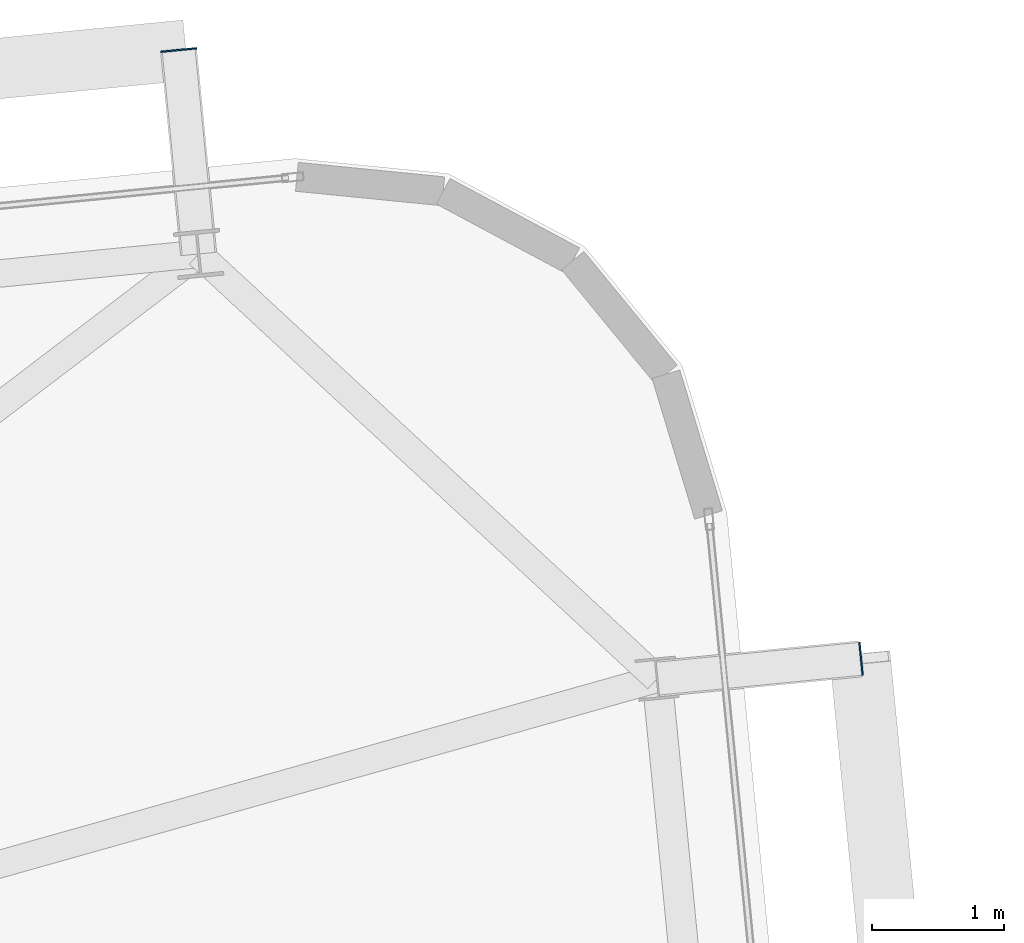
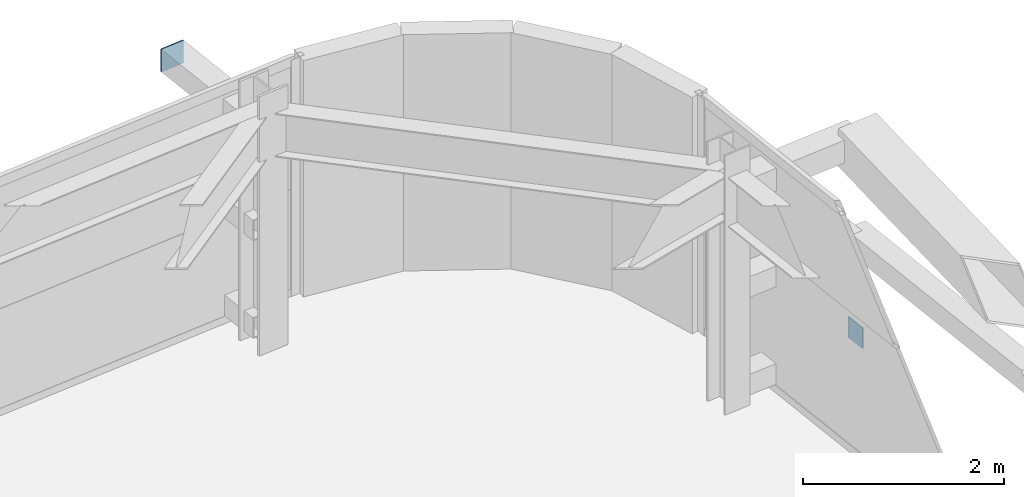
# One storey, part 40 of 47: 2 plates.
"""IFC4 building model written with IfcOpenShell, lengths in metres."""

import ifcopenshell
import ifcopenshell.guid

model = None  # the IFC model being written
_history = None  # IfcOwnerHistory: only IFC2X3 demands one
_inside = {}  # id of a spatial element -> (the spatial element, [elements in it])
_under = {}  # id of a project, library or spatial element -> (it, [spatial elements below it])
_declared = {}  # id of a project -> (the project, [libraries it declares])
_typed = {}  # id of a type object -> (the type object, [elements of that type])
_made_of = {}  # id of a material, layer set ... -> (it, [elements and type objects made of it])


def new_model(schema):
    """Start an empty IFC model of exactly this schema.

    Asked for "IFC4X3", IfcOpenShell would pick the latest addendum, in which some entities
    have other attributes; the version numbers below select the first issue.
    IFC2X3 requires an IfcOwnerHistory on every rooted entity: one is made here for all.
    """
    global model, _history
    if schema == "IFC4X3":
        model = ifcopenshell.file(schema_version=(4, 3, 0, 0))
    else:
        model = ifcopenshell.file(schema=schema)
    _inside.clear()
    _under.clear()
    _declared.clear()
    _typed.clear()
    _made_of.clear()
    _history = None
    if model.schema == "IFC2X3":
        org = make("IfcOrganization", Name="unknown")
        user = make(
            "IfcPersonAndOrganization",
            ThePerson=make("IfcPerson", FamilyName="unknown"),
            TheOrganization=org,
        )
        app = make(
            "IfcApplication",
            ApplicationDeveloper=org,
            Version="unknown",
            ApplicationFullName="unknown",
            ApplicationIdentifier="unknown",
        )
        _history = make(
            "IfcOwnerHistory",
            OwningUser=user,
            OwningApplication=app,
            ChangeAction="ADDED",
            CreationDate=0,
        )
    return model


def make(cls, **values):
    """One entity of the class cls with the attributes given. An attribute that is None is left unset."""
    return model.create_entity(
        cls, **{name: value for name, value in values.items() if value is not None}
    )


def rooted(cls, **values):
    """An entity with a GlobalId (a new one), such as an element, a storey or a relation."""
    return make(cls, GlobalId=ifcopenshell.guid.new(), OwnerHistory=_history, **values)


def si_unit(unit_type, name, prefix=None):
    """IfcSIUnit, for example si_unit("LENGTHUNIT", "METRE", prefix="MILLI")."""
    return make("IfcSIUnit", UnitType=unit_type, Prefix=prefix, Name=name)


def assignment(units):
    """IfcUnitAssignment: the units of a project."""
    return None if units is None else make("IfcUnitAssignment", Units=units)


def point(xyz):
    """IfcCartesianPoint."""
    return None if xyz is None else make("IfcCartesianPoint", Coordinates=xyz)


def direction(xyz):
    """IfcDirection."""
    return None if xyz is None else make("IfcDirection", DirectionRatios=xyz)


def frame(location, z_axis=None, x_axis=None):
    """IfcAxis2Placement3D, a coordinate frame: its origin and axes. An axis left out is left unset."""
    return make(
        "IfcAxis2Placement3D",
        Location=point(location),
        Axis=direction(z_axis),
        RefDirection=direction(x_axis),
    )


def frame_2d(location, x_axis=None):
    """IfcAxis2Placement2D, a coordinate frame in the plane: its origin and x axis."""
    return make(
        "IfcAxis2Placement2D", Location=point(location), RefDirection=direction(x_axis)
    )


def origin():
    """The frame at (0, 0, 0) with its axes left unset."""
    return frame((0.0, 0.0, 0.0))


def origin_2d():
    """The frame at (0, 0) in the plane with its x axis left unset."""
    return frame_2d((0.0, 0.0))


def place(relative_to, where):
    """IfcLocalPlacement: puts the frame where relative to a parent placement (None: the world)."""
    return make(
        "IfcLocalPlacement", PlacementRelTo=relative_to, RelativePlacement=where
    )


def context(
    kind, dimensions, precision=None, world=None, true_north=None, identifier=None
):
    """IfcGeometricRepresentationContext, for example the 3D "Model" context."""
    return make(
        "IfcGeometricRepresentationContext",
        ContextIdentifier=identifier,
        ContextType=kind,
        CoordinateSpaceDimension=dimensions,
        Precision=precision,
        WorldCoordinateSystem=world,
        TrueNorth=true_north,
    )


def subcontext(parent, identifier, kind, view, scale=None):
    """IfcGeometricRepresentationSubContext, for example "Body" below "Model"."""
    return make(
        "IfcGeometricRepresentationSubContext",
        ContextIdentifier=identifier,
        ContextType=kind,
        ParentContext=parent,
        TargetScale=scale,
        TargetView=view,
    )


def project(units=None, contexts=None):
    """IfcProject with its units and contexts."""
    return rooted(
        "IfcProject",
        Name="project",
        RepresentationContexts=contexts,
        UnitsInContext=assignment(units),
    )


def spatial(cls, under=None, at=None, **own):
    """A site, building, storey or space (cls), placed at a placement, below another one or the project."""
    s = rooted(cls, ObjectPlacement=at, **own)
    if under is not None:
        _under.setdefault(under.id(), (under, []))[1].append(s)
    return s


def profile(cls, at=None, kind="AREA", **sizes):
    """A parametric profile (cls). Its sizes go by their IFC names, for example OverallWidth=200.0."""
    return make(cls, ProfileType=kind, Position=at, **sizes)


def rectangle(**sizes):
    """IfcRectangleProfileDef."""
    return profile("IfcRectangleProfileDef", **sizes)


def extrude(swept, where, along, depth):
    """IfcExtrudedAreaSolid: the profile swept, set in the frame where, extruded along a direction by depth."""
    return make(
        "IfcExtrudedAreaSolid",
        SweptArea=swept,
        Position=where,
        ExtrudedDirection=direction(along),
        Depth=depth,
    )


def shape(context_of_items, identifier, shape_type, items):
    """IfcShapeRepresentation: the items that make up one representation, for example the "Body"."""
    return make(
        "IfcShapeRepresentation",
        ContextOfItems=context_of_items,
        RepresentationIdentifier=identifier,
        RepresentationType=shape_type,
        Items=items,
    )


def source(mapping_origin, context_of_items, identifier, shape_type, items):
    """IfcRepresentationMap: a shape defined once, which mapped items show again and again."""
    return make(
        "IfcRepresentationMap",
        MappingOrigin=mapping_origin,
        MappedRepresentation=shape(context_of_items, identifier, shape_type, items),
    )


def transform(
    local_origin,
    x_axis=None,
    y_axis=None,
    z_axis=None,
    scale=None,
    scale2=None,
    scale3=None,
    uniform=True,
):
    """IfcCartesianTransformationOperator3D, or its non-uniform kind. x_axis, y_axis, z_axis: its Axis1, 2, 3."""
    if uniform:
        return make(
            "IfcCartesianTransformationOperator3D",
            Axis1=direction(x_axis),
            Axis2=direction(y_axis),
            LocalOrigin=point(local_origin),
            Scale=scale,
            Axis3=direction(z_axis),
        )
    return make(
        "IfcCartesianTransformationOperator3DnonUniform",
        Axis1=direction(x_axis),
        Axis2=direction(y_axis),
        LocalOrigin=point(local_origin),
        Scale=scale,
        Axis3=direction(z_axis),
        Scale2=scale2,
        Scale3=scale3,
    )


def mapped(mapping_source, mapping_target):
    """IfcMappedItem: shows the shape of a source again, moved by a transform."""
    return make(
        "IfcMappedItem", MappingSource=mapping_source, MappingTarget=mapping_target
    )


def material(Name=None, Category=None):
    """IfcMaterial."""
    return make("IfcMaterial", Name=Name, Category=Category)


def layer(
    of_material, thickness, ventilated=None, Name=None, Category=None, Priority=None
):
    """IfcMaterialLayer: one layer of a wall or slab, of a material (None: an air gap)."""
    return make(
        "IfcMaterialLayer",
        Material=of_material,
        LayerThickness=thickness,
        IsVentilated=ventilated,
        Name=Name,
        Category=Category,
        Priority=Priority,
    )


def layer_set(layers, Name=None):
    """IfcMaterialLayerSet."""
    return make("IfcMaterialLayerSet", MaterialLayers=layers, LayerSetName=Name)


def made_of(thing, what):
    """Note that an element or type object is made of a material, layer set ...; save() writes the relation."""
    if what is not None:
        _made_of.setdefault(what.id(), (what, []))[1].append(thing)
    return thing


def type_object(cls, material=None, **own):
    """A type object (cls), such as IfcWallType, which elements share."""
    return made_of(rooted(cls, **own), material)


def element(
    cls,
    number,
    at=None,
    inside=None,
    cuts=None,
    type_object=None,
    material=None,
    context=None,
    identifier="Body",
    shape_type=None,
    held_by="IfcProductDefinitionShape",
    body=None,
    shapes=None,
    **own,
):
    """One element of the class cls, such as IfcWall. Its Tag is "e" and its number.

    at: its placement. inside: the storey or other place that contains it. cuts: it is an
    opening in that element (IfcRelVoidsElement). A single representation is given by context,
    identifier, shape_type and body (its items); several are given by shapes. held_by: the class
    of the entity that holds the representations. save() writes the other relations.
    """
    e = rooted(cls, Tag="e%d" % number, ObjectPlacement=at, **own)
    if body is not None:
        shapes = [shape(context, identifier, shape_type, body)]
    if shapes is not None:
        e.Representation = make(held_by, Representations=shapes)
    if inside is not None:
        _inside.setdefault(inside.id(), (inside, []))[1].append(e)
    if cuts is not None:
        rooted(
            "IfcRelVoidsElement", RelatingBuildingElement=cuts, RelatedOpeningElement=e
        )
    if type_object is not None:
        _typed.setdefault(type_object.id(), (type_object, []))[1].append(e)
    return made_of(e, material)


def aggregate(whole, parts):
    """IfcRelAggregates: a whole, such as a stair, and the parts it consists of."""
    return rooted("IfcRelAggregates", RelatingObject=whole, RelatedObjects=parts)


def save(model, path):
    """Write the relations noted so far, then the file.

    IfcRelAggregates (storeys below a building ...), IfcRelContainedInSpatialStructure (elements
    in a storey), IfcRelDefinesByType, IfcRelAssociatesMaterial and IfcRelDeclares: one each for
    every whole, place, type object, material and project.
    """
    for whole, parts in _under.values():
        aggregate(whole, parts)
    for where, things in _inside.values():
        rooted(
            "IfcRelContainedInSpatialStructure",
            RelatedElements=things,
            RelatingStructure=where,
        )
    for kind, things in _typed.values():
        rooted("IfcRelDefinesByType", RelatedObjects=things, RelatingType=kind)
    for what, things in _made_of.values():
        rooted("IfcRelAssociatesMaterial", RelatedObjects=things, RelatingMaterial=what)
    for by, libraries in _declared.values():
        rooted("IfcRelDeclares", RelatingContext=by, RelatedDefinitions=libraries)
    model.write(path)


model = new_model("IFC4")

# Units and contexts
model_context = context("Model", 3, precision=1e-05, world=origin(), true_north=direction((0.0, 1.0)))
body_context = subcontext(model_context, "Body", "Model", "MODEL_VIEW")
ifc_project = project(units=[si_unit("LENGTHUNIT", "METRE"), si_unit("AREAUNIT", "SQUARE_METRE"), si_unit("VOLUMEUNIT", "CUBIC_METRE"), si_unit("PLANEANGLEUNIT", "RADIAN"), si_unit("MASSUNIT", "GRAM", prefix="KILO")], contexts=[model_context])

# Site, building, storey
site_placement = place(None, origin())
site = spatial("IfcSite", under=ifc_project, at=site_placement, CompositionType="ELEMENT")
building_placement = place(site_placement, origin())
building = spatial("IfcBuilding", under=site, at=building_placement, Name="Taldren Reach Tower", CompositionType="ELEMENT")
storey_placement = place(building_placement, frame((0.0, 0.0, 109.199951171875)))
storey = spatial("IfcBuildingStorey", under=building, at=storey_placement, Name="L33", CompositionType="ELEMENT", Elevation=109.199951171875)

# Plates
ifc_material_1 = material(Name="Steel Gr 450 (C450L0)", Category="steel")
ifc_layer_1 = layer(ifc_material_1, 0.011962890625)
ifc_layer_set_1 = layer_set([ifc_layer_1], Name="Steel Gr 450 (C450L0)")
plate_type_1 = type_object("IfcPlateType", Name="PL-CAP-275", PredefinedType="SHEET", material=ifc_layer_set_1)
shared_shape_1 = source(origin(), body_context, "Body", "SweptSolid", [
    extrude(rectangle(XDim=0.27490234375, YDim=0.011962890625, at=origin_2d()), origin(), (0.0, 0.0, 1.0), 0.27490234375),
])
plate_1_placement = place(storey_placement, frame((59.614013671875, 40.228515625, 2.45263671875), z_axis=(0.0, 0.0, 1.0), x_axis=(0.995227399982, 0.097582899759, 0.0)))
element("IfcPlate", 1, at=plate_1_placement, inside=storey, type_object=plate_type_1, Name="Tie strut end cap plate B2-N6 L33", PredefinedType="SHEET", context=body_context, shape_type="MappedRepresentation", body=[
    mapped(shared_shape_1, transform((0.0, 0.0, 0.0), scale=1.0)),
])
ifc_material_2 = material(Name="Steel Gr 350 (C350L0)", Category="steel")
ifc_layer_2 = layer(ifc_material_2, 0.011962890625)
ifc_layer_set_2 = layer_set([ifc_layer_2], Name="Steel Gr 350 (C350L0)")
plate_type_2 = type_object("IfcPlateType", Name="PL-CAP-250", PredefinedType="SHEET", material=ifc_layer_set_2)
shared_shape_2 = source(origin(), body_context, "Body", "SweptSolid", [
    extrude(rectangle(XDim=0.011962890625, YDim=0.25, at=origin_2d()), origin(), (0.0, 0.0, 1.0), 0.25),
])
plate_2_placement = place(storey_placement, frame((64.7958984375, 35.60595703125, 0.094970703125), z_axis=(0.0, 0.0, 1.0), x_axis=(0.995227399982, 0.097582899759, 0.0)))
element("IfcPlate", 2, at=plate_2_placement, inside=storey, type_object=plate_type_2, Name="Tie strut end cap plate B2-E3 L33", PredefinedType="SHEET", context=body_context, shape_type="MappedRepresentation", body=[
    mapped(shared_shape_2, transform((0.0, 0.0, 0.0), scale=1.0)),
])

save(model, "model.ifc")
